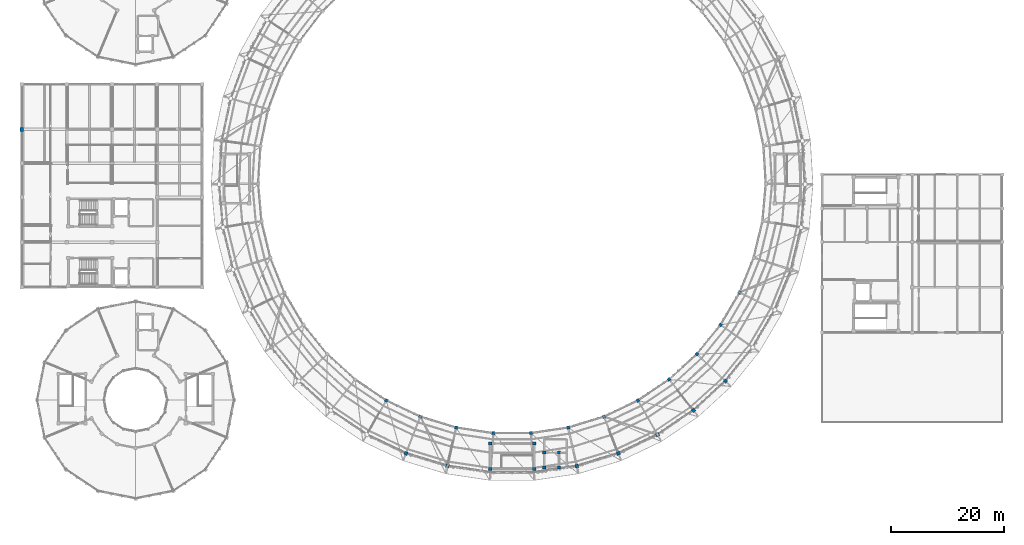
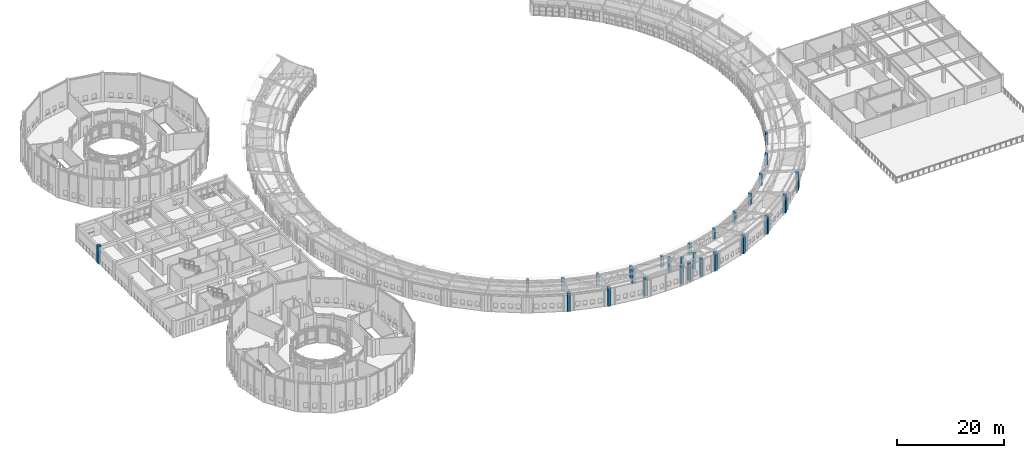
# One storey, part 4 of 149: 28 columns.
"""IFC4 building model written with IfcOpenShell, lengths in metres."""

from ifc_helpers import new_model, si_unit, direction, frame, origin, origin_2d, place, context, subcontext, project, spatial, rectangle, extrude, material, material_profile, profile_set, type_object, element, save


model = new_model("IFC4")

# Units and contexts
model_context = context("Model", 3, precision=1e-05, world=origin(), true_north=direction((0.0, 1.0)))
body_context = subcontext(model_context, "Body", "Model", "MODEL_VIEW")
ifc_project = project(units=[si_unit("LENGTHUNIT", "METRE"), si_unit("AREAUNIT", "SQUARE_METRE"), si_unit("VOLUMEUNIT", "CUBIC_METRE"), si_unit("PLANEANGLEUNIT", "RADIAN"), si_unit("MASSUNIT", "GRAM", prefix="KILO")], contexts=[model_context])

# Site, building, storey
site_placement = place(None, origin())
site = spatial("IfcSite", under=ifc_project, at=site_placement, CompositionType="ELEMENT")
building_placement = place(site_placement, origin())
building = spatial("IfcBuilding", under=site, at=building_placement, Name="Celadon Cloister-Ring School", CompositionType="ELEMENT")
storey_placement = place(building_placement, frame((0.0, 0.0, 12.5)))
storey = spatial("IfcBuildingStorey", under=building, at=storey_placement, Name="L03", CompositionType="ELEMENT", Elevation=12.5)

# Columns
ifc_material_1 = material(Name="Concrete C40/50", Category="concrete")
ifc_material_profile_1 = material_profile(ifc_material_1, rectangle(XDim=0.60009765625, YDim=0.60009765625, at=origin_2d()), Name="RC600X600")
ifc_profile_set_1 = profile_set([ifc_material_profile_1], Name="Concrete C40/50")
column_type_1 = type_object("IfcColumnType", Name="CT-04", PredefinedType="COLUMN", material=ifc_profile_set_1)
for number, where, z_axis, x_axis, name in (
    (1, (83.10009765625, 7.75, 0.0), (0.0, 0.0, 1.0), (1.0, 0.0, 0.0), "Column 0020"),
    (2, (90.89990234375, 7.75, 0.0), (0.0, 0.0, 1.0), (1.0, 0.0, 0.0), "Column 0024"),
):
    element("IfcColumn", number, at=place(storey_placement, frame(where, z_axis=z_axis, x_axis=x_axis)), inside=storey, type_object=column_type_1, Name=name, PredefinedType="COLUMN", context=body_context, shape_type="SweptSolid", body=[
        extrude(rectangle(XDim=0.60009765625, YDim=0.60009765625, at=origin_2d()), origin(), (0.0, 0.0, 1.0), 4.14990234375),
    ])
for number, where, z_axis, x_axis, name in (
    (3, (90.89990234375, 12.27001953125, 0.0), (0.0, 0.0, 1.0), (1.0, 0.0, 0.0), "Column 0028"),
    (4, (83.10009765625, 12.27001953125, 0.0), (0.0, 0.0, 1.0), (1.0, 0.0, 0.0), "Column 0032"),
):
    element("IfcColumn", number, at=place(storey_placement, frame(where, z_axis=z_axis, x_axis=x_axis)), inside=storey, type_object=column_type_1, Name=name, PredefinedType="COLUMN", context=body_context, shape_type="SweptSolid", body=[
        extrude(rectangle(XDim=0.60009765625, YDim=0.60009765625, at=origin_2d()), origin(), (0.0, 0.0, 1.0), 3.177978515625),
    ])
ifc_material_2 = material(Name="Concrete C40/50", Category="concrete")
ifc_material_profile_2 = material_profile(ifc_material_2, rectangle(XDim=0.550048828125, YDim=0.550048828125, at=origin_2d()), Name="RC550X550")
ifc_profile_set_2 = profile_set([ifc_material_profile_2], Name="Concrete C40/50")
column_type_2 = type_object("IfcColumnType", Name="CT-05", PredefinedType="COLUMN", material=ifc_profile_set_2)
for number, where, z_axis, x_axis, name in (
    (5, (92.699951171875, 8.050048828125, 0.0), (0.0, 0.0, 1.0), (1.0, 0.0, 0.0), "Column 0263"),
    (6, (95.300048828125, 8.050048828125, 0.0), (0.0, 0.0, 1.0), (1.0, 0.0, 0.0), "Column 0267"),
):
    element("IfcColumn", number, at=place(storey_placement, frame(where, z_axis=z_axis, x_axis=x_axis)), inside=storey, type_object=column_type_2, Name=name, PredefinedType="COLUMN", context=body_context, shape_type="SweptSolid", body=[
        extrude(rectangle(XDim=0.550048828125, YDim=0.550048828125, at=origin_2d()), origin(), (0.0, 0.0, 1.0), 4.0),
    ])
column_1_placement = place(storey_placement, frame((95.300048828125, 10.64990234375, 0.0), z_axis=(0.0, 0.0, 1.0), x_axis=(1.0, 0.0, 0.0)))
element("IfcColumn", 7, at=column_1_placement, inside=storey, type_object=column_type_2, Name="Column 0271", PredefinedType="COLUMN", context=body_context, shape_type="SweptSolid", body=[
    extrude(rectangle(XDim=0.550048828125, YDim=0.550048828125, at=origin_2d()), origin(), (0.0, 0.0, 1.0), 3.657958984375),
])
column_2_placement = place(storey_placement, frame((92.699951171875, 10.64990234375, 0.0), z_axis=(0.0, 0.0, 1.0), x_axis=(1.0, 0.0, 0.0)))
element("IfcColumn", 8, at=column_2_placement, inside=storey, type_object=column_type_2, Name="Column 0275", PredefinedType="COLUMN", context=body_context, shape_type="SweptSolid", body=[
    extrude(rectangle(XDim=0.550048828125, YDim=0.550048828125, at=origin_2d()), origin(), (0.0, 0.0, 1.0), 3.572998046875),
])
ifc_material_3 = material(Name="Concrete C40/50", Category="concrete")
ifc_material_profile_3 = material_profile(ifc_material_3, rectangle(XDim=0.64990234375, YDim=0.64990234375, at=origin_2d()), Name="RC650X650")
ifc_profile_set_3 = profile_set([ifc_material_profile_3], Name="Concrete C40/50")
column_type_3 = type_object("IfcColumnType", Name="CT-22", PredefinedType="COLUMN", material=ifc_profile_set_3)
column_3_placement = place(storey_placement, frame((0.0, 68.0, 0.0), z_axis=(0.0, 0.0, 1.0), x_axis=(1.0, 0.0, 0.0)))
element("IfcColumn", 9, at=column_3_placement, inside=storey, type_object=column_type_3, Name="Column 1085", PredefinedType="COLUMN", context=body_context, shape_type="SweptSolid", body=[
    extrude(rectangle(XDim=0.64990234375, YDim=0.64990234375, at=origin_2d()), origin(), (0.0, 0.0, 1.0), 4.0),
])
ifc_material_4 = material(Name="Concrete C40/50", Category="concrete")
ifc_material_profile_4 = material_profile(ifc_material_4, rectangle(XDim=0.60009765625, YDim=0.60009765625, at=origin_2d()), Name="RC600X600")
ifc_profile_set_4 = profile_set([ifc_material_profile_4], Name="Concrete C40/50")
column_type_4 = type_object("IfcColumnType", Name="CT-23", PredefinedType="COLUMN", material=ifc_profile_set_4)
for number, where, z_axis, x_axis, name in (
    (10, (68.162109375, 10.531982421875, 0.0), (0.0, 0.0, 1.0), (-0.362275366705, -0.932071112458, 0.0), "Column 0603"),
    (11, (75.529052734375, 8.281005859375, 0.0), (0.0, 0.0, 1.0), (-0.220595296203, -0.975365426542, 0.0), "Column 0607"),
    (12, (98.470947265625, 8.281005859375, 0.0), (0.0, 0.0, 1.0), (0.220595296203, -0.975365426542, 0.0), "Column 0611"),
    (13, (105.837890625, 10.531982421875, 0.0), (0.0, 0.0, 1.0), (0.362275366705, -0.932071112458, 0.0), "Column 0615"),
    (14, (112.7919921875, 13.846923828125, 0.0), (0.0, 0.0, 1.0), (0.496004347874, -0.868320037135, 0.0), "Column 0619"),
    (15, (119.179931640625, 18.153076171875, 0.0), (0.0, 0.0, 1.0), (0.618847204173, -0.785511386224, 0.0), "Column 0623"),
    (16, (124.862060546875, 23.35595703125, 0.0), (0.0, 0.0, 1.0), (0.728107824814, -0.685462614185, 0.0), "Column 0627"),
):
    element("IfcColumn", number, at=place(storey_placement, frame(where, z_axis=z_axis, x_axis=x_axis)), inside=storey, type_object=column_type_4, Name=name, PredefinedType="COLUMN", context=body_context, shape_type="SweptSolid", body=[
        extrude(rectangle(XDim=0.60009765625, YDim=0.60009765625, at=origin_2d()), origin(), (0.0, 0.0, 1.0), 4.159912109375),
    ])
ifc_material_5 = material(Name="Concrete C40/50", Category="concrete")
ifc_material_profile_5 = material_profile(ifc_material_5, rectangle(XDim=0.550048828125, YDim=0.550048828125, at=origin_2d()), Name="RC550X550")
ifc_profile_set_5 = profile_set([ifc_material_profile_5], Name="Concrete C40/50")
column_type_5 = type_object("IfcColumnType", Name="CT-24", PredefinedType="COLUMN", material=ifc_profile_set_5)
for number, where, z_axis, x_axis, name in (
    (17, (64.679931640625, 19.926025390625, 0.0), (0.0, 0.0, 1.0), (-0.496004347874, -0.868320037135, 0.0), "Column 0455"),
    (18, (70.697998046875, 17.056884765625, 0.0), (0.0, 0.0, 1.0), (-0.362275366705, -0.932071112458, 0.0), "Column 0459"),
    (19, (77.072998046875, 15.10888671875, 0.0), (0.0, 0.0, 1.0), (-0.220595296203, -0.975365426542, 0.0), "Column 0463"),
    (20, (83.6669921875, 14.1240234375, 0.0), (0.0, 0.0, 1.0), (-0.074073679552, -0.997252771366, 0.0), "Column 0467"),
    (21, (90.3330078125, 14.1240234375, 0.0), (0.0, 0.0, 1.0), (0.074073679552, -0.997252771366, 0.0), "Column 0471"),
    (22, (96.927001953125, 15.10888671875, 0.0), (0.0, 0.0, 1.0), (0.220595296203, -0.975365426542, 0.0), "Column 0475"),
    (23, (103.302001953125, 17.056884765625, 0.0), (0.0, 0.0, 1.0), (0.362275366705, -0.932071112458, 0.0), "Column 0479"),
    (24, (109.320068359375, 19.926025390625, 0.0), (0.0, 0.0, 1.0), (0.496004347874, -0.868320037135, 0.0), "Column 0483"),
    (25, (114.847900390625, 23.652099609375, 0.0), (0.0, 0.0, 1.0), (0.618847204173, -0.785511386224, 0.0), "Column 0487"),
    (26, (119.764892578125, 28.154052734375, 0.0), (0.0, 0.0, 1.0), (0.728107824814, -0.685462614185, 0.0), "Column 0491"),
    (27, (123.9619140625, 33.3330078125, 0.0), (0.0, 0.0, 1.0), (0.821388197028, -0.57036955545, 0.0), "Column 0495"),
    (28, (127.34912109375, 39.075927734375, 0.0), (0.0, 0.0, 1.0), (0.896641036785, -0.442758231039, 0.0), "Column 0499"),
):
    element("IfcColumn", number, at=place(storey_placement, frame(where, z_axis=z_axis, x_axis=x_axis)), inside=storey, type_object=column_type_5, Name=name, PredefinedType="COLUMN", context=body_context, shape_type="SweptSolid", body=[
        extrude(rectangle(XDim=0.550048828125, YDim=0.550048828125, at=origin_2d()), origin(), (0.0, 0.0, 1.0), 2.639892578125),
    ])

save(model, "model.ifc")
